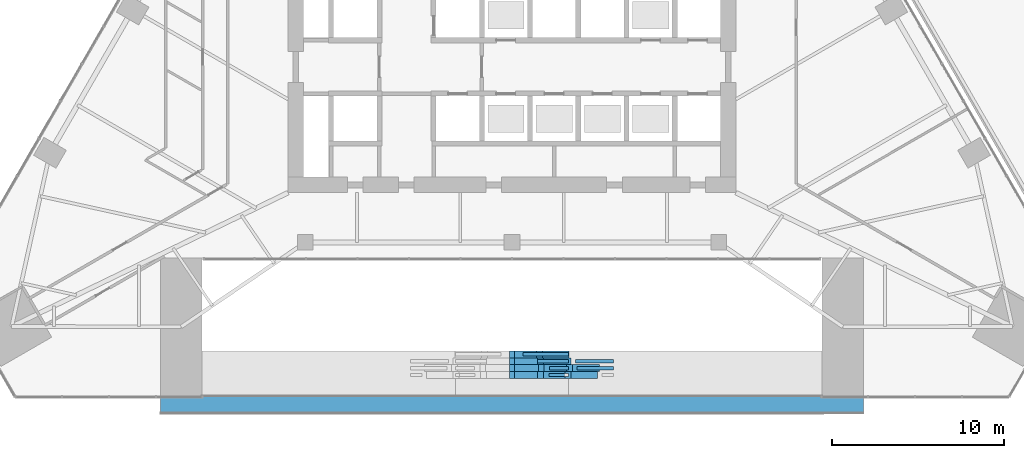
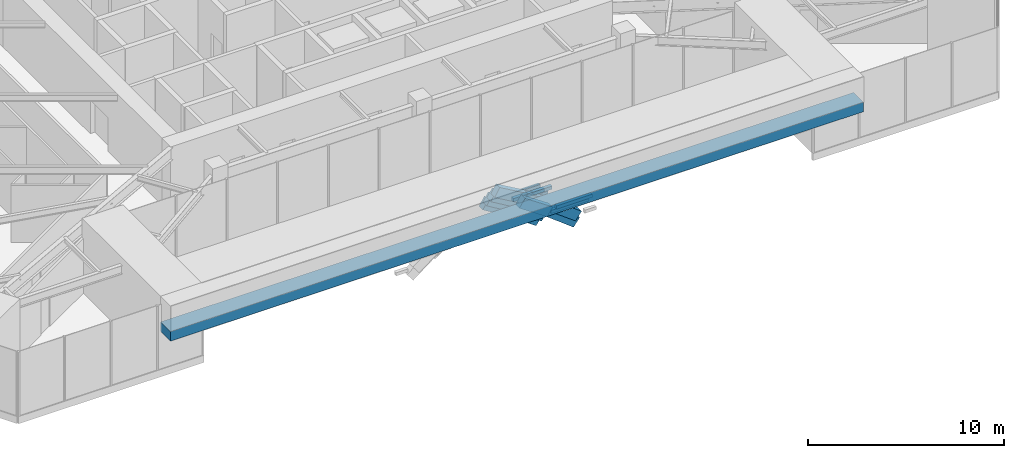
# One storey, part 4 of 23: 10 members, 7 beams.
"""IFC4 building model written with IfcOpenShell, lengths in metres."""

import ifcopenshell
import ifcopenshell.guid

model = None  # the IFC model being written
_history = None  # IfcOwnerHistory: only IFC2X3 demands one
_inside = {}  # id of a spatial element -> (the spatial element, [elements in it])
_under = {}  # id of a project, library or spatial element -> (it, [spatial elements below it])
_declared = {}  # id of a project -> (the project, [libraries it declares])
_typed = {}  # id of a type object -> (the type object, [elements of that type])
_made_of = {}  # id of a material, layer set ... -> (it, [elements and type objects made of it])


def new_model(schema):
    """Start an empty IFC model of exactly this schema.

    Asked for "IFC4X3", IfcOpenShell would pick the latest addendum, in which some entities
    have other attributes; the version numbers below select the first issue.
    IFC2X3 requires an IfcOwnerHistory on every rooted entity: one is made here for all.
    """
    global model, _history
    if schema == "IFC4X3":
        model = ifcopenshell.file(schema_version=(4, 3, 0, 0))
    else:
        model = ifcopenshell.file(schema=schema)
    _inside.clear()
    _under.clear()
    _declared.clear()
    _typed.clear()
    _made_of.clear()
    _history = None
    if model.schema == "IFC2X3":
        org = make("IfcOrganization", Name="unknown")
        user = make(
            "IfcPersonAndOrganization",
            ThePerson=make("IfcPerson", FamilyName="unknown"),
            TheOrganization=org,
        )
        app = make(
            "IfcApplication",
            ApplicationDeveloper=org,
            Version="unknown",
            ApplicationFullName="unknown",
            ApplicationIdentifier="unknown",
        )
        _history = make(
            "IfcOwnerHistory",
            OwningUser=user,
            OwningApplication=app,
            ChangeAction="ADDED",
            CreationDate=0,
        )
    return model


def make(cls, **values):
    """One entity of the class cls with the attributes given. An attribute that is None is left unset."""
    return model.create_entity(
        cls, **{name: value for name, value in values.items() if value is not None}
    )


def rooted(cls, **values):
    """An entity with a GlobalId (a new one), such as an element, a storey or a relation."""
    return make(cls, GlobalId=ifcopenshell.guid.new(), OwnerHistory=_history, **values)


def si_unit(unit_type, name, prefix=None):
    """IfcSIUnit, for example si_unit("LENGTHUNIT", "METRE", prefix="MILLI")."""
    return make("IfcSIUnit", UnitType=unit_type, Prefix=prefix, Name=name)


def assignment(units):
    """IfcUnitAssignment: the units of a project."""
    return None if units is None else make("IfcUnitAssignment", Units=units)


def point(xyz):
    """IfcCartesianPoint."""
    return None if xyz is None else make("IfcCartesianPoint", Coordinates=xyz)


def direction(xyz):
    """IfcDirection."""
    return None if xyz is None else make("IfcDirection", DirectionRatios=xyz)


def frame(location, z_axis=None, x_axis=None):
    """IfcAxis2Placement3D, a coordinate frame: its origin and axes. An axis left out is left unset."""
    return make(
        "IfcAxis2Placement3D",
        Location=point(location),
        Axis=direction(z_axis),
        RefDirection=direction(x_axis),
    )


def frame_2d(location, x_axis=None):
    """IfcAxis2Placement2D, a coordinate frame in the plane: its origin and x axis."""
    return make(
        "IfcAxis2Placement2D", Location=point(location), RefDirection=direction(x_axis)
    )


def origin():
    """The frame at (0, 0, 0) with its axes left unset."""
    return frame((0.0, 0.0, 0.0))


def origin_2d():
    """The frame at (0, 0) in the plane with its x axis left unset."""
    return frame_2d((0.0, 0.0))


def place(relative_to, where):
    """IfcLocalPlacement: puts the frame where relative to a parent placement (None: the world)."""
    return make(
        "IfcLocalPlacement", PlacementRelTo=relative_to, RelativePlacement=where
    )


def context(
    kind, dimensions, precision=None, world=None, true_north=None, identifier=None
):
    """IfcGeometricRepresentationContext, for example the 3D "Model" context."""
    return make(
        "IfcGeometricRepresentationContext",
        ContextIdentifier=identifier,
        ContextType=kind,
        CoordinateSpaceDimension=dimensions,
        Precision=precision,
        WorldCoordinateSystem=world,
        TrueNorth=true_north,
    )


def subcontext(parent, identifier, kind, view, scale=None):
    """IfcGeometricRepresentationSubContext, for example "Body" below "Model"."""
    return make(
        "IfcGeometricRepresentationSubContext",
        ContextIdentifier=identifier,
        ContextType=kind,
        ParentContext=parent,
        TargetScale=scale,
        TargetView=view,
    )


def project(units=None, contexts=None):
    """IfcProject with its units and contexts."""
    return rooted(
        "IfcProject",
        Name="project",
        RepresentationContexts=contexts,
        UnitsInContext=assignment(units),
    )


def spatial(cls, under=None, at=None, **own):
    """A site, building, storey or space (cls), placed at a placement, below another one or the project."""
    s = rooted(cls, ObjectPlacement=at, **own)
    if under is not None:
        _under.setdefault(under.id(), (under, []))[1].append(s)
    return s


def profile(cls, at=None, kind="AREA", **sizes):
    """A parametric profile (cls). Its sizes go by their IFC names, for example OverallWidth=200.0."""
    return make(cls, ProfileType=kind, Position=at, **sizes)


def rectangle(**sizes):
    """IfcRectangleProfileDef."""
    return profile("IfcRectangleProfileDef", **sizes)


def extrude(swept, where, along, depth):
    """IfcExtrudedAreaSolid: the profile swept, set in the frame where, extruded along a direction by depth."""
    return make(
        "IfcExtrudedAreaSolid",
        SweptArea=swept,
        Position=where,
        ExtrudedDirection=direction(along),
        Depth=depth,
    )


def shape(context_of_items, identifier, shape_type, items):
    """IfcShapeRepresentation: the items that make up one representation, for example the "Body"."""
    return make(
        "IfcShapeRepresentation",
        ContextOfItems=context_of_items,
        RepresentationIdentifier=identifier,
        RepresentationType=shape_type,
        Items=items,
    )


def material(Name=None, Category=None):
    """IfcMaterial."""
    return make("IfcMaterial", Name=Name, Category=Category)


def material_profile(
    of_material, cross_section, Name=None, Category=None, Priority=None
):
    """IfcMaterialProfile: a cross section and its material."""
    return make(
        "IfcMaterialProfile",
        Name=Name,
        Material=of_material,
        Profile=cross_section,
        Priority=Priority,
        Category=Category,
    )


def profile_set(profiles, Name=None, composite=None):
    """IfcMaterialProfileSet."""
    return make(
        "IfcMaterialProfileSet",
        Name=Name,
        MaterialProfiles=profiles,
        CompositeProfile=composite,
    )


def made_of(thing, what):
    """Note that an element or type object is made of a material, layer set ...; save() writes the relation."""
    if what is not None:
        _made_of.setdefault(what.id(), (what, []))[1].append(thing)
    return thing


def type_object(cls, material=None, **own):
    """A type object (cls), such as IfcWallType, which elements share."""
    return made_of(rooted(cls, **own), material)


def element(
    cls,
    number,
    at=None,
    inside=None,
    cuts=None,
    type_object=None,
    material=None,
    context=None,
    identifier="Body",
    shape_type=None,
    held_by="IfcProductDefinitionShape",
    body=None,
    shapes=None,
    **own,
):
    """One element of the class cls, such as IfcWall. Its Tag is "e" and its number.

    at: its placement. inside: the storey or other place that contains it. cuts: it is an
    opening in that element (IfcRelVoidsElement). A single representation is given by context,
    identifier, shape_type and body (its items); several are given by shapes. held_by: the class
    of the entity that holds the representations. save() writes the other relations.
    """
    e = rooted(cls, Tag="e%d" % number, ObjectPlacement=at, **own)
    if body is not None:
        shapes = [shape(context, identifier, shape_type, body)]
    if shapes is not None:
        e.Representation = make(held_by, Representations=shapes)
    if inside is not None:
        _inside.setdefault(inside.id(), (inside, []))[1].append(e)
    if cuts is not None:
        rooted(
            "IfcRelVoidsElement", RelatingBuildingElement=cuts, RelatedOpeningElement=e
        )
    if type_object is not None:
        _typed.setdefault(type_object.id(), (type_object, []))[1].append(e)
    return made_of(e, material)


def aggregate(whole, parts):
    """IfcRelAggregates: a whole, such as a stair, and the parts it consists of."""
    return rooted("IfcRelAggregates", RelatingObject=whole, RelatedObjects=parts)


def save(model, path):
    """Write the relations noted so far, then the file.

    IfcRelAggregates (storeys below a building ...), IfcRelContainedInSpatialStructure (elements
    in a storey), IfcRelDefinesByType, IfcRelAssociatesMaterial and IfcRelDeclares: one each for
    every whole, place, type object, material and project.
    """
    for whole, parts in _under.values():
        aggregate(whole, parts)
    for where, things in _inside.values():
        rooted(
            "IfcRelContainedInSpatialStructure",
            RelatedElements=things,
            RelatingStructure=where,
        )
    for kind, things in _typed.values():
        rooted("IfcRelDefinesByType", RelatedObjects=things, RelatingType=kind)
    for what, things in _made_of.values():
        rooted("IfcRelAssociatesMaterial", RelatedObjects=things, RelatingMaterial=what)
    for by, libraries in _declared.values():
        rooted("IfcRelDeclares", RelatingContext=by, RelatedDefinitions=libraries)
    model.write(path)


model = new_model("IFC4")

# Units and contexts
model_context = context("Model", 3, precision=1e-05, world=origin(), true_north=direction((0.0, 1.0)))
body_context = subcontext(model_context, "Body", "Model", "MODEL_VIEW")
ifc_project = project(units=[si_unit("LENGTHUNIT", "METRE"), si_unit("AREAUNIT", "SQUARE_METRE"), si_unit("VOLUMEUNIT", "CUBIC_METRE"), si_unit("PLANEANGLEUNIT", "RADIAN"), si_unit("MASSUNIT", "GRAM", prefix="KILO")], contexts=[model_context])

# Site, building, storey
site_placement = place(None, origin())
site = spatial("IfcSite", under=ifc_project, at=site_placement, CompositionType="ELEMENT")
building_placement = place(site_placement, origin())
building = spatial("IfcBuilding", under=site, at=building_placement, Name="Firuza Gate Tower and Library", CompositionType="ELEMENT")
storey_placement = place(building_placement, frame((0.0, 0.0, 26.39990234375)))
storey = spatial("IfcBuildingStorey", under=building, at=storey_placement, Name="L05", CompositionType="ELEMENT", Elevation=26.39990234375)

# Members
ifc_material_1 = material(Name="Concrete C60/75", Category="concrete")
ifc_material_profile_1 = material_profile(ifc_material_1, rectangle(XDim=0.39990234375, YDim=0.60009765625, at=origin_2d()))
ifc_profile_set_1 = profile_set([ifc_material_profile_1], Name="Concrete C60/75")
member_type = type_object("IfcMemberType", Name="Arch rib 600x400", PredefinedType="USERDEFINED", material=ifc_profile_set_1)
member_1_placement = place(storey_placement, frame((75.0, 55.415283203125, 3.300048828125), z_axis=(0.865714926757, 0.0, -0.500537376817), x_axis=(0.0, 1.0, 0.0)))
element("IfcMember", 1, at=member_1_placement, inside=storey, type_object=member_type, Name="Arch rib 1.20", ObjectType="ARCH RIB", PredefinedType="USERDEFINED", context=body_context, shape_type="SweptSolid", body=[
    extrude(rectangle(XDim=0.39990234375, YDim=0.60009765625, at=origin_2d()), origin(), (0.0, 0.0, 1.0), 1.91015625),
])
member_2_placement = place(storey_placement, frame((76.653564453125, 55.415283203125, 2.343994140625), z_axis=(0.836079057749, 0.0, -0.548608976588), x_axis=(0.0, 1.0, 0.0)))
element("IfcMember", 2, at=member_2_placement, inside=storey, type_object=member_type, Name="Arch rib 1.21", ObjectType="ARCH RIB", PredefinedType="USERDEFINED", context=body_context, shape_type="SweptSolid", body=[
    extrude(rectangle(XDim=0.39990234375, YDim=0.60009765625, at=origin_2d()), origin(), (0.0, 0.0, 1.0), 1.909912109375),
])
member_3_placement = place(storey_placement, frame((78.25048828125, 55.415283203125, 1.296142578125), z_axis=(0.80366585761, 0.0, -0.595080825864), x_axis=(0.0, 1.0, 0.0)))
element("IfcMember", 3, at=member_3_placement, inside=storey, type_object=member_type, Name="Arch rib 1.22", ObjectType="ARCH RIB", PredefinedType="USERDEFINED", context=body_context, shape_type="SweptSolid", body=[
    extrude(rectangle(XDim=0.39990234375, YDim=0.60009765625, at=origin_2d()), origin(), (0.0, 0.0, 1.0), 1.91015625),
])
for number, where, z_axis, x_axis, name in (
    (4, (75.0, 55.8154296875, 2.800048828125), (0.859905630593, 0.0, -0.510453040421), (0.0, 1.0, 0.0), "Arch rib 2.19"),
    (5, (76.69775390625, 55.8154296875, 1.792236328125), (0.828226022173, 0.0, -0.560394197147), (0.0, 1.0, 0.0), "Arch rib 2.20"),
    (6, (78.3330078125, 55.8154296875, 0.685791015625), (0.793634224515, 0.0, -0.6083951986), (0.0, 1.0, 0.0), "Arch rib 2.21"),
):
    element("IfcMember", number, at=place(storey_placement, frame(where, z_axis=z_axis, x_axis=x_axis)), inside=storey, type_object=member_type, Name=name, ObjectType="ARCH RIB", PredefinedType="USERDEFINED", context=body_context, shape_type="SweptSolid", body=[
        extrude(rectangle(XDim=0.39990234375, YDim=0.60009765625, at=origin_2d()), origin(), (0.0, 0.0, 1.0), 1.974365234375),
    ])
for number, where, z_axis, x_axis, name in (
    (7, (75.0, 56.21533203125, 2.300048828125), (0.854581303166, 0.0, -0.519317625619), (0.0, 1.0, 0.0), "Arch rib 3.19"),
    (8, (76.651611328125, 56.21533203125, 1.29638671875), (0.822723893417, 0.0, -0.568441197663), (0.0, 1.0, 0.0), "Arch rib 3.20"),
):
    element("IfcMember", number, at=place(storey_placement, frame(where, z_axis=z_axis, x_axis=x_axis)), inside=storey, type_object=member_type, Name=name, ObjectType="ARCH RIB", PredefinedType="USERDEFINED", context=body_context, shape_type="SweptSolid", body=[
        extrude(rectangle(XDim=0.39990234375, YDim=0.60009765625, at=origin_2d()), origin(), (0.0, 0.0, 1.0), 1.9326171875),
    ])
member_4_placement = place(storey_placement, frame((75.0, 56.615478515625, 1.800048828125), z_axis=(0.848889257738, 0.0, -0.528570740864), x_axis=(0.0, 1.0, 0.0)))
element("IfcMember", 9, at=member_4_placement, inside=storey, type_object=member_type, Name="Arch rib 4.19", ObjectType="ARCH RIB", PredefinedType="USERDEFINED", context=body_context, shape_type="SweptSolid", body=[
    extrude(rectangle(XDim=0.39990234375, YDim=0.60009765625, at=origin_2d()), origin(), (0.0, 0.0, 1.0), 1.890869140625),
])
member_5_placement = place(storey_placement, frame((76.605224609375, 56.615478515625, 0.800537109375), z_axis=(0.816896304642, 0.0, -0.576784558967), x_axis=(0.0, 1.0, 0.0)))
element("IfcMember", 10, at=member_5_placement, inside=storey, type_object=member_type, Name="Arch rib 4.20", ObjectType="ARCH RIB", PredefinedType="USERDEFINED", context=body_context, shape_type="SweptSolid", body=[
    extrude(rectangle(XDim=0.39990234375, YDim=0.60009765625, at=origin_2d()), origin(), (0.0, 0.0, 1.0), 1.89111328125),
])

# Beams
ifc_material_2 = material(Name="Concrete C60/75", Category="concrete")
ifc_material_profile_2 = material_profile(ifc_material_2, rectangle(XDim=0.199951171875, YDim=0.199951171875, at=origin_2d()))
ifc_profile_set_2 = profile_set([ifc_material_profile_2], Name="Concrete C60/75")
beam_type_1 = type_object("IfcBeamType", Name="Arch rib bracket 200x200", PredefinedType="BEAM", material=ifc_profile_set_2)
beam_1_placement = place(storey_placement, frame((78.286376953125, 55.415283203125, 2.39404296875), z_axis=(-1.0, 0.0, 0.0), x_axis=(0.0, -1.0, 0.0)))
element("IfcBeam", 11, at=beam_1_placement, inside=storey, type_object=beam_type_1, Name="Arch rib bracket 1.20", PredefinedType="BEAM", context=body_context, shape_type="SweptSolid", body=[
    extrude(rectangle(XDim=0.199951171875, YDim=0.199951171875, at=origin_2d()), origin(), (0.0, 0.0, 1.0), 1.1298828125),
])
beam_2_placement = place(storey_placement, frame((78.286376953125, 55.8154296875, 1.84228515625), z_axis=(-1.0, 0.0, 0.0), x_axis=(0.0, -1.0, 0.0)))
element("IfcBeam", 12, at=beam_2_placement, inside=storey, type_object=beam_type_1, Name="Arch rib bracket 2.19", PredefinedType="BEAM", context=body_context, shape_type="SweptSolid", body=[
    extrude(rectangle(XDim=0.199951171875, YDim=0.199951171875, at=origin_2d()), origin(), (0.0, 0.0, 1.0), 1.09521484375),
])
beam_3_placement = place(storey_placement, frame((80.890625, 55.8154296875, 0.73583984375), z_axis=(-1.0, 0.0, 0.0), x_axis=(0.0, -1.0, 0.0)))
element("IfcBeam", 13, at=beam_3_placement, inside=storey, type_object=beam_type_1, Name="Arch rib bracket 2.20", PredefinedType="BEAM", context=body_context, shape_type="SweptSolid", body=[
    extrude(rectangle(XDim=0.199951171875, YDim=0.199951171875, at=origin_2d()), origin(), (0.0, 0.0, 1.0), 2.106201171875),
])
beam_4_placement = place(storey_placement, frame((78.286376953125, 56.21533203125, 1.7529296875), z_axis=(-1.0, 0.0, 0.0), x_axis=(0.0, -1.0, 0.0)))
element("IfcBeam", 14, at=beam_4_placement, inside=storey, type_object=beam_type_1, Name="Arch rib bracket 3.19", PredefinedType="BEAM", context=body_context, shape_type="SweptSolid", body=[
    extrude(rectangle(XDim=0.199951171875, YDim=0.199951171875, at=origin_2d()), origin(), (0.0, 0.0, 1.0), 1.818603515625),
])
beam_5_placement = place(storey_placement, frame((80.890625, 56.21533203125, 0.24755859375), z_axis=(-1.0, 0.0, 0.0), x_axis=(0.0, -1.0, 0.0)))
element("IfcBeam", 15, at=beam_5_placement, inside=storey, type_object=beam_type_1, Name="Arch rib bracket 3.20", PredefinedType="BEAM", context=body_context, shape_type="SweptSolid", body=[
    extrude(rectangle(XDim=0.199951171875, YDim=0.199951171875, at=origin_2d()), origin(), (0.0, 0.0, 1.0), 2.20361328125),
])
beam_6_placement = place(storey_placement, frame((78.286376953125, 56.615478515625, 1.75), z_axis=(-1.0, 0.0, 0.0), x_axis=(0.0, -1.0, 0.0)))
element("IfcBeam", 16, at=beam_6_placement, inside=storey, type_object=beam_type_1, Name="Arch rib bracket 4.19", PredefinedType="BEAM", context=body_context, shape_type="SweptSolid", body=[
    extrude(rectangle(XDim=0.199951171875, YDim=0.199951171875, at=origin_2d()), origin(), (0.0, 0.0, 1.0), 2.6484375),
])
ifc_material_3 = material(Name="Concrete C40/50", Category="concrete")
ifc_material_profile_3 = material_profile(ifc_material_3, rectangle(XDim=1.0, YDim=0.60009765625, at=origin_2d()))
ifc_profile_set_3 = profile_set([ifc_material_profile_3], Name="Concrete C40/50")
beam_type_2 = type_object("IfcBeamType", Name="Pishtaq lintel beam 1000x600", PredefinedType="LINTEL", material=ifc_profile_set_3)
beam_7_placement = place(storey_placement, frame((54.60009765625, 53.71533203125, 2.7001953125), z_axis=(1.0, 0.0, 0.0), x_axis=(0.0, 1.0, 0.0)))
element("IfcBeam", 17, at=beam_7_placement, inside=storey, type_object=beam_type_2, Name="Pishtaq lintel beam", PredefinedType="LINTEL", context=body_context, shape_type="SweptSolid", body=[
    extrude(rectangle(XDim=1.0, YDim=0.60009765625, at=origin_2d()), origin(), (0.0, 0.0, 1.0), 40.7998046875),
])

save(model, "model.ifc")
